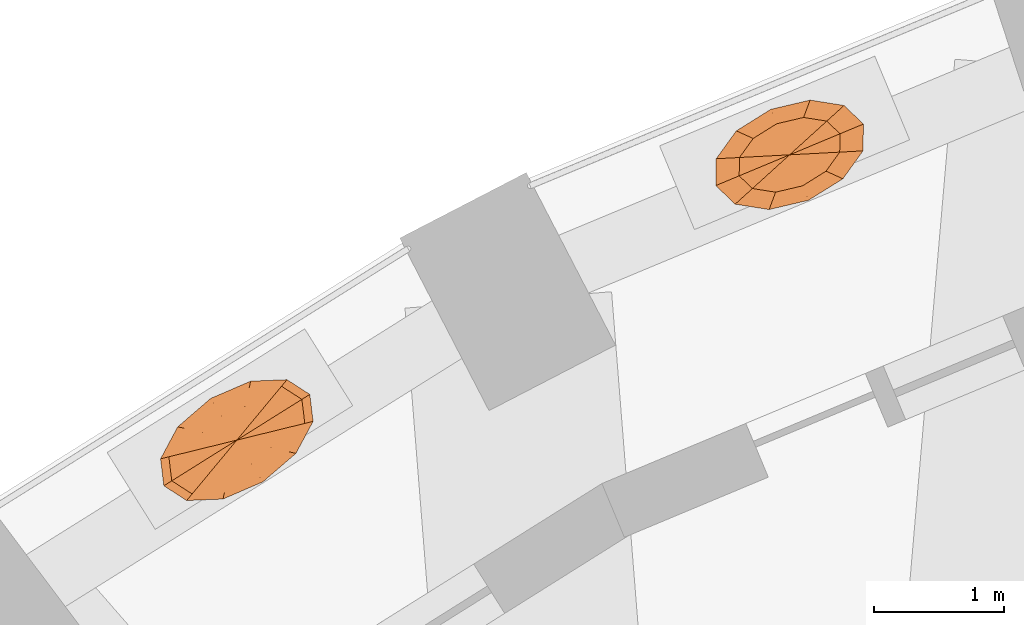
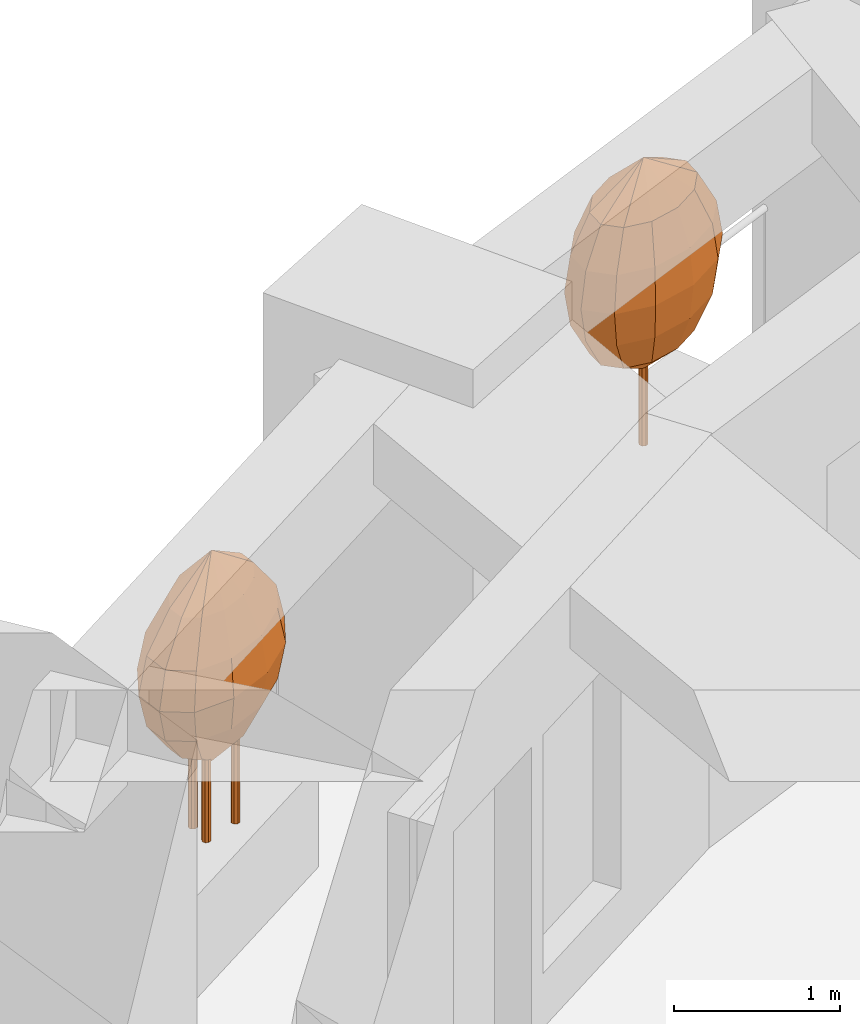
# One storey, part 13 of 13: 2 geographic elements.
"""IFC4 building model written with IfcOpenShell, lengths in metres."""

import ifcopenshell
import ifcopenshell.guid

model = None  # the IFC model being written
_history = None  # IfcOwnerHistory: only IFC2X3 demands one
_inside = {}  # id of a spatial element -> (the spatial element, [elements in it])
_under = {}  # id of a project, library or spatial element -> (it, [spatial elements below it])
_declared = {}  # id of a project -> (the project, [libraries it declares])
_typed = {}  # id of a type object -> (the type object, [elements of that type])
_made_of = {}  # id of a material, layer set ... -> (it, [elements and type objects made of it])


def new_model(schema):
    """Start an empty IFC model of exactly this schema.

    Asked for "IFC4X3", IfcOpenShell would pick the latest addendum, in which some entities
    have other attributes; the version numbers below select the first issue.
    IFC2X3 requires an IfcOwnerHistory on every rooted entity: one is made here for all.
    """
    global model, _history
    if schema == "IFC4X3":
        model = ifcopenshell.file(schema_version=(4, 3, 0, 0))
    else:
        model = ifcopenshell.file(schema=schema)
    _inside.clear()
    _under.clear()
    _declared.clear()
    _typed.clear()
    _made_of.clear()
    _history = None
    if model.schema == "IFC2X3":
        org = make("IfcOrganization", Name="unknown")
        user = make(
            "IfcPersonAndOrganization",
            ThePerson=make("IfcPerson", FamilyName="unknown"),
            TheOrganization=org,
        )
        app = make(
            "IfcApplication",
            ApplicationDeveloper=org,
            Version="unknown",
            ApplicationFullName="unknown",
            ApplicationIdentifier="unknown",
        )
        _history = make(
            "IfcOwnerHistory",
            OwningUser=user,
            OwningApplication=app,
            ChangeAction="ADDED",
            CreationDate=0,
        )
    return model


def make(cls, **values):
    """One entity of the class cls with the attributes given. An attribute that is None is left unset."""
    return model.create_entity(
        cls, **{name: value for name, value in values.items() if value is not None}
    )


def rooted(cls, **values):
    """An entity with a GlobalId (a new one), such as an element, a storey or a relation."""
    return make(cls, GlobalId=ifcopenshell.guid.new(), OwnerHistory=_history, **values)


def si_unit(unit_type, name, prefix=None):
    """IfcSIUnit, for example si_unit("LENGTHUNIT", "METRE", prefix="MILLI")."""
    return make("IfcSIUnit", UnitType=unit_type, Prefix=prefix, Name=name)


def assignment(units):
    """IfcUnitAssignment: the units of a project."""
    return None if units is None else make("IfcUnitAssignment", Units=units)


def point(xyz):
    """IfcCartesianPoint."""
    return None if xyz is None else make("IfcCartesianPoint", Coordinates=xyz)


def direction(xyz):
    """IfcDirection."""
    return None if xyz is None else make("IfcDirection", DirectionRatios=xyz)


def frame(location, z_axis=None, x_axis=None):
    """IfcAxis2Placement3D, a coordinate frame: its origin and axes. An axis left out is left unset."""
    return make(
        "IfcAxis2Placement3D",
        Location=point(location),
        Axis=direction(z_axis),
        RefDirection=direction(x_axis),
    )


def origin():
    """The frame at (0, 0, 0) with its axes left unset."""
    return frame((0.0, 0.0, 0.0))


def place(relative_to, where):
    """IfcLocalPlacement: puts the frame where relative to a parent placement (None: the world)."""
    return make(
        "IfcLocalPlacement", PlacementRelTo=relative_to, RelativePlacement=where
    )


def context(
    kind, dimensions, precision=None, world=None, true_north=None, identifier=None
):
    """IfcGeometricRepresentationContext, for example the 3D "Model" context."""
    return make(
        "IfcGeometricRepresentationContext",
        ContextIdentifier=identifier,
        ContextType=kind,
        CoordinateSpaceDimension=dimensions,
        Precision=precision,
        WorldCoordinateSystem=world,
        TrueNorth=true_north,
    )


def subcontext(parent, identifier, kind, view, scale=None):
    """IfcGeometricRepresentationSubContext, for example "Body" below "Model"."""
    return make(
        "IfcGeometricRepresentationSubContext",
        ContextIdentifier=identifier,
        ContextType=kind,
        ParentContext=parent,
        TargetScale=scale,
        TargetView=view,
    )


def project(units=None, contexts=None):
    """IfcProject with its units and contexts."""
    return rooted(
        "IfcProject",
        Name="project",
        RepresentationContexts=contexts,
        UnitsInContext=assignment(units),
    )


def spatial(cls, under=None, at=None, **own):
    """A site, building, storey or space (cls), placed at a placement, below another one or the project."""
    s = rooted(cls, ObjectPlacement=at, **own)
    if under is not None:
        _under.setdefault(under.id(), (under, []))[1].append(s)
    return s


def faces_of(points, faces, orient=None, outer=None):
    """IfcFace entities. A face is a list of loops; a loop is a list of indices into points, from 0.

    orient and outer hold one flag for each loop. By default every Orientation is true, the
    first loop of a face is its IfcFaceOuterBound and the others are IfcFaceBound.
    """
    made = []
    for i, loops in enumerate(faces):
        bounds = []
        for j, loop in enumerate(loops):
            is_outer = j == 0 if outer is None else outer[i][j]
            bounds.append(
                make(
                    "IfcFaceOuterBound" if is_outer else "IfcFaceBound",
                    Bound=make("IfcPolyLoop", Polygon=[points[k] for k in loop]),
                    Orientation=True if orient is None else orient[i][j],
                )
            )
        made.append(make("IfcFace", Bounds=bounds))
    return made


def faceted_brep(points, faces, orient=None, outer=None, voids=None):
    """IfcFacetedBrep: a solid bounded by flat faces; with voids (closed shells), ...WithVoids."""
    shared = [point(p) for p in points]
    hull = make("IfcClosedShell", CfsFaces=faces_of(shared, faces, orient, outer))
    if voids is None:
        return make("IfcFacetedBrep", Outer=hull)
    return make(
        "IfcFacetedBrepWithVoids",
        Outer=hull,
        Voids=[
            make(cls, CfsFaces=faces_of(shared, fs, o, b)) for cls, fs, o, b in voids
        ],
    )


def shape(context_of_items, identifier, shape_type, items):
    """IfcShapeRepresentation: the items that make up one representation, for example the "Body"."""
    return make(
        "IfcShapeRepresentation",
        ContextOfItems=context_of_items,
        RepresentationIdentifier=identifier,
        RepresentationType=shape_type,
        Items=items,
    )


def material(Name=None, Category=None):
    """IfcMaterial."""
    return make("IfcMaterial", Name=Name, Category=Category)


def constituent(of_material, Name=None, Category=None, fraction=None):
    """IfcMaterialConstituent: one of the materials an element consists of."""
    return make(
        "IfcMaterialConstituent",
        Name=Name,
        Material=of_material,
        Fraction=fraction,
        Category=Category,
    )


def constituent_set(constituents=None, Name=None):
    """IfcMaterialConstituentSet."""
    return make(
        "IfcMaterialConstituentSet", Name=Name, MaterialConstituents=constituents
    )


def made_of(thing, what):
    """Note that an element or type object is made of a material, layer set ...; save() writes the relation."""
    if what is not None:
        _made_of.setdefault(what.id(), (what, []))[1].append(thing)
    return thing


def type_object(cls, material=None, **own):
    """A type object (cls), such as IfcWallType, which elements share."""
    return made_of(rooted(cls, **own), material)


def element(
    cls,
    number,
    at=None,
    inside=None,
    cuts=None,
    type_object=None,
    material=None,
    context=None,
    identifier="Body",
    shape_type=None,
    held_by="IfcProductDefinitionShape",
    body=None,
    shapes=None,
    **own,
):
    """One element of the class cls, such as IfcWall. Its Tag is "e" and its number.

    at: its placement. inside: the storey or other place that contains it. cuts: it is an
    opening in that element (IfcRelVoidsElement). A single representation is given by context,
    identifier, shape_type and body (its items); several are given by shapes. held_by: the class
    of the entity that holds the representations. save() writes the other relations.
    """
    e = rooted(cls, Tag="e%d" % number, ObjectPlacement=at, **own)
    if body is not None:
        shapes = [shape(context, identifier, shape_type, body)]
    if shapes is not None:
        e.Representation = make(held_by, Representations=shapes)
    if inside is not None:
        _inside.setdefault(inside.id(), (inside, []))[1].append(e)
    if cuts is not None:
        rooted(
            "IfcRelVoidsElement", RelatingBuildingElement=cuts, RelatedOpeningElement=e
        )
    if type_object is not None:
        _typed.setdefault(type_object.id(), (type_object, []))[1].append(e)
    return made_of(e, material)


def aggregate(whole, parts):
    """IfcRelAggregates: a whole, such as a stair, and the parts it consists of."""
    return rooted("IfcRelAggregates", RelatingObject=whole, RelatedObjects=parts)


def save(model, path):
    """Write the relations noted so far, then the file.

    IfcRelAggregates (storeys below a building ...), IfcRelContainedInSpatialStructure (elements
    in a storey), IfcRelDefinesByType, IfcRelAssociatesMaterial and IfcRelDeclares: one each for
    every whole, place, type object, material and project.
    """
    for whole, parts in _under.values():
        aggregate(whole, parts)
    for where, things in _inside.values():
        rooted(
            "IfcRelContainedInSpatialStructure",
            RelatedElements=things,
            RelatingStructure=where,
        )
    for kind, things in _typed.values():
        rooted("IfcRelDefinesByType", RelatedObjects=things, RelatingType=kind)
    for what, things in _made_of.values():
        rooted("IfcRelAssociatesMaterial", RelatedObjects=things, RelatingMaterial=what)
    for by, libraries in _declared.values():
        rooted("IfcRelDeclares", RelatingContext=by, RelatedDefinitions=libraries)
    model.write(path)


model = new_model("IFC4")

# Units and contexts
model_context = context("Model", 3, precision=1e-05, world=origin(), true_north=direction((0.0, 1.0)))
body_context = subcontext(model_context, "Body", "Model", "MODEL_VIEW")
ifc_project = project(units=[si_unit("LENGTHUNIT", "METRE"), si_unit("AREAUNIT", "SQUARE_METRE"), si_unit("VOLUMEUNIT", "CUBIC_METRE"), si_unit("PLANEANGLEUNIT", "RADIAN"), si_unit("MASSUNIT", "GRAM", prefix="KILO")], contexts=[model_context])

# Site, building, storey
site_placement = place(None, origin())
site = spatial("IfcSite", under=ifc_project, at=site_placement, CompositionType="ELEMENT")
building_placement = place(site_placement, origin())
building = spatial("IfcBuilding", under=site, at=building_placement, Name="Taillehof Tower", CompositionType="ELEMENT")
storey_placement = place(building_placement, frame((0.0, 0.0, 41.5)))
storey = spatial("IfcBuildingStorey", under=building, at=storey_placement, Name="L10", CompositionType="ELEMENT", Elevation=41.5)

# Geographic elements
ifc_material_1 = material(Name="Tree bark", Category="timber")
ifc_constituent_1 = constituent(ifc_material_1, Name="Trunk", Category="timber")
ifc_material_2 = material(Name="Tree foliage")
ifc_constituent_2 = constituent(ifc_material_2, Name="Crown")
ifc_constituent_set_1 = constituent_set(constituents=[ifc_constituent_1, ifc_constituent_2], Name="Tree TR1 Columnar hornbeam")
geographic_element_type_1 = type_object("IfcGeographicElementType", Name="Tree TR1 Columnar hornbeam", PredefinedType="USERDEFINED", material=ifc_constituent_set_1)
geographic_element_1_placement = place(storey_placement, frame((-11.947509765625, 22.923583984375, 0.75)))
element("IfcGeographicElement", 1, at=geographic_element_1_placement, inside=storey, type_object=geographic_element_type_1, Name="Tree TR1 Columnar hornbeam", ObjectType="TREE", PredefinedType="USERDEFINED", context=body_context, shape_type="Brep", body=[
    faceted_brep([(0.030029296875, 0.0, 0.0), (0.021240234375, 0.021240234375, 0.0), (0.021240234375, 0.021240234375, 1.092529296875), (0.030029296875, 0.0, 1.092529296875), (0.0, 0.030029296875, 0.0), (0.0, 0.030029296875, 1.092529296875), (-0.021240234375, 0.021240234375, 0.0), (-0.021240234375, 0.021240234375, 1.092529296875), (-0.030029296875, 0.0, 0.0), (-0.030029296875, 0.0, 1.092529296875), (-0.021240234375, -0.021240234375, 0.0), (-0.021240234375, -0.021240234375, 1.092529296875), (0.0, -0.030029296875, 0.0), (0.0, -0.030029296875, 1.092529296875), (0.021240234375, -0.021240234375, 0.0), (0.021240234375, -0.021240234375, 1.092529296875)], [[[0, 1, 2, 3]], [[1, 4, 5, 2]], [[4, 6, 7, 5]], [[6, 8, 9, 7]], [[8, 10, 11, 9]], [[10, 12, 13, 11]], [[12, 14, 15, 13]], [[14, 0, 3, 15]], [[14, 12, 10, 8, 6, 4, 1, 0]], [[3, 2, 5, 7, 9, 11, 13, 15]]]),
    faceted_brep([(0.0, 0.0, 0.550048828125), (-0.287109375, -0.26025390625, 0.808349609375), (-0.389404296875, -0.162353515625, 0.808349609375), (-0.108154296875, -0.28857421875, 0.808349609375), (0.099853515625, -0.239501953125, 0.808349609375), (0.28125, -0.126220703125, 0.808349609375), (0.386962890625, 0.020751953125, 0.808349609375), (0.389404296875, 0.162353515625, 0.808349609375), (0.287109375, 0.26025390625, 0.808349609375), (0.108154296875, 0.28857421875, 0.808349609375), (-0.099853515625, 0.239501953125, 0.808349609375), (-0.28125, 0.126220703125, 0.808349609375), (-0.386962890625, -0.020751953125, 0.808349609375), (-0.388427734375, -0.35205078125, 1.066650390625), (-0.526611328125, -0.219482421875, 1.066650390625), (-0.146240234375, -0.390380859375, 1.066650390625), (0.135009765625, -0.323974609375, 1.066650390625), (0.38037109375, -0.1708984375, 1.066650390625), (0.523681640625, 0.028076171875, 1.066650390625), (0.526611328125, 0.219482421875, 1.066650390625), (0.388427734375, 0.35205078125, 1.066650390625), (0.146240234375, 0.390380859375, 1.066650390625), (-0.135009765625, 0.323974609375, 1.066650390625), (-0.38037109375, 0.1708984375, 1.066650390625), (-0.523681640625, -0.028076171875, 1.066650390625), (-0.42041015625, -0.381103515625, 1.324951171875), (-0.570068359375, -0.237548828125, 1.324951171875), (-0.158447265625, -0.422607421875, 1.324951171875), (0.146240234375, -0.350830078125, 1.324951171875), (0.41162109375, -0.18505859375, 1.324951171875), (0.566650390625, 0.0302734375, 1.324951171875), (0.570068359375, 0.237548828125, 1.324951171875), (0.42041015625, 0.381103515625, 1.324951171875), (0.158447265625, 0.422607421875, 1.324951171875), (-0.146240234375, 0.350830078125, 1.324951171875), (-0.41162109375, 0.18505859375, 1.324951171875), (-0.566650390625, -0.0302734375, 1.324951171875), (-0.388427734375, -0.35205078125, 1.583251953125), (-0.526611328125, -0.219482421875, 1.583251953125), (-0.146240234375, -0.390380859375, 1.583251953125), (0.135009765625, -0.323974609375, 1.583251953125), (0.38037109375, -0.1708984375, 1.583251953125), (0.523681640625, 0.028076171875, 1.583251953125), (0.526611328125, 0.219482421875, 1.583251953125), (0.388427734375, 0.35205078125, 1.583251953125), (0.146240234375, 0.390380859375, 1.583251953125), (-0.135009765625, 0.323974609375, 1.583251953125), (-0.38037109375, 0.1708984375, 1.583251953125), (-0.523681640625, -0.028076171875, 1.583251953125), (-0.287109375, -0.26025390625, 1.841552734375), (-0.389404296875, -0.162353515625, 1.841552734375), (-0.108154296875, -0.28857421875, 1.841552734375), (0.099853515625, -0.239501953125, 1.841552734375), (0.28125, -0.126220703125, 1.841552734375), (0.386962890625, 0.020751953125, 1.841552734375), (0.389404296875, 0.162353515625, 1.841552734375), (0.287109375, 0.26025390625, 1.841552734375), (0.108154296875, 0.28857421875, 1.841552734375), (-0.099853515625, 0.239501953125, 1.841552734375), (-0.28125, 0.126220703125, 1.841552734375), (-0.386962890625, -0.020751953125, 1.841552734375), (0.0, 0.0, 2.10009765625)], [[[0, 1, 2]], [[0, 3, 1]], [[0, 4, 3]], [[0, 5, 4]], [[0, 6, 5]], [[0, 7, 6]], [[0, 8, 7]], [[0, 9, 8]], [[0, 10, 9]], [[0, 11, 10]], [[0, 12, 11]], [[0, 2, 12]], [[2, 1, 13, 14]], [[1, 3, 15, 13]], [[3, 4, 16, 15]], [[4, 5, 17, 16]], [[5, 6, 18, 17]], [[6, 7, 19, 18]], [[7, 8, 20, 19]], [[8, 9, 21, 20]], [[9, 10, 22, 21]], [[10, 11, 23, 22]], [[11, 12, 24, 23]], [[12, 2, 14, 24]], [[14, 13, 25, 26]], [[13, 15, 27, 25]], [[15, 16, 28, 27]], [[16, 17, 29, 28]], [[17, 18, 30, 29]], [[18, 19, 31, 30]], [[19, 20, 32, 31]], [[20, 21, 33, 32]], [[21, 22, 34, 33]], [[22, 23, 35, 34]], [[23, 24, 36, 35]], [[24, 14, 26, 36]], [[26, 25, 37, 38]], [[25, 27, 39, 37]], [[27, 28, 40, 39]], [[28, 29, 41, 40]], [[29, 30, 42, 41]], [[30, 31, 43, 42]], [[31, 32, 44, 43]], [[32, 33, 45, 44]], [[33, 34, 46, 45]], [[34, 35, 47, 46]], [[35, 36, 48, 47]], [[36, 26, 38, 48]], [[38, 37, 49, 50]], [[37, 39, 51, 49]], [[39, 40, 52, 51]], [[40, 41, 53, 52]], [[41, 42, 54, 53]], [[42, 43, 55, 54]], [[43, 44, 56, 55]], [[44, 45, 57, 56]], [[45, 46, 58, 57]], [[46, 47, 59, 58]], [[47, 48, 60, 59]], [[48, 38, 50, 60]], [[50, 49, 61]], [[49, 51, 61]], [[51, 52, 61]], [[52, 53, 61]], [[53, 54, 61]], [[54, 55, 61]], [[55, 56, 61]], [[56, 57, 61]], [[57, 58, 61]], [[58, 59, 61]], [[59, 60, 61]], [[60, 50, 61]]]),
])
ifc_material_3 = material(Name="Tree bark", Category="timber")
ifc_constituent_3 = constituent(ifc_material_3, Name="Trunk", Category="timber")
ifc_material_4 = material(Name="Tree foliage")
ifc_constituent_4 = constituent(ifc_material_4, Name="Crown")
ifc_constituent_set_2 = constituent_set(constituents=[ifc_constituent_3, ifc_constituent_4], Name="Tree TR3 Multi-stem serviceberry")
geographic_element_type_2 = type_object("IfcGeographicElementType", Name="Tree TR3 Multi-stem serviceberry", PredefinedType="USERDEFINED", material=ifc_constituent_set_2)
geographic_element_2_placement = place(storey_placement, frame((-16.2158203125, 20.720703125, 0.75)))
element("IfcGeographicElement", 2, at=geographic_element_2_placement, inside=storey, type_object=geographic_element_type_2, Name="Tree TR3 Multi-stem serviceberry", ObjectType="TREE", PredefinedType="USERDEFINED", context=body_context, shape_type="Brep", body=[
    faceted_brep([(0.195068359375, 0.0, 0.0), (0.186767578125, 0.0205078125, 0.0), (0.186767578125, 0.0205078125, 1.04248046875), (0.195068359375, 0.0, 1.04248046875), (0.166259765625, 0.02880859375, 0.0), (0.166259765625, 0.02880859375, 1.04248046875), (0.145751953125, 0.0205078125, 0.0), (0.145751953125, 0.0205078125, 1.04248046875), (0.137451171875, 0.0, 0.0), (0.137451171875, 0.0, 1.04248046875), (0.145751953125, -0.0205078125, 0.0), (0.145751953125, -0.0205078125, 1.04248046875), (0.166259765625, -0.02880859375, 0.0), (0.166259765625, -0.02880859375, 1.04248046875), (0.186767578125, -0.0205078125, 0.0), (0.186767578125, -0.0205078125, 1.04248046875)], [[[0, 1, 2, 3]], [[1, 4, 5, 2]], [[4, 6, 7, 5]], [[6, 8, 9, 7]], [[8, 10, 11, 9]], [[10, 12, 13, 11]], [[12, 14, 15, 13]], [[14, 0, 3, 15]], [[14, 12, 10, 8, 6, 4, 1, 0]], [[3, 2, 5, 7, 9, 11, 13, 15]]]),
    faceted_brep([(-0.05419921875, 0.082275390625, 0.0), (-0.062744140625, 0.102783203125, 0.0), (-0.062744140625, 0.102783203125, 1.04248046875), (-0.05419921875, 0.082275390625, 1.04248046875), (-0.0830078125, 0.111083984375, 0.0), (-0.0830078125, 0.111083984375, 1.04248046875), (-0.103515625, 0.102783203125, 0.0), (-0.103515625, 0.102783203125, 1.04248046875), (-0.112060546875, 0.082275390625, 0.0), (-0.112060546875, 0.082275390625, 1.04248046875), (-0.103515625, 0.061767578125, 0.0), (-0.103515625, 0.061767578125, 1.04248046875), (-0.0830078125, 0.053466796875, 0.0), (-0.0830078125, 0.053466796875, 1.04248046875), (-0.062744140625, 0.061767578125, 0.0), (-0.062744140625, 0.061767578125, 1.04248046875)], [[[0, 1, 2, 3]], [[1, 4, 5, 2]], [[4, 6, 7, 5]], [[6, 8, 9, 7]], [[8, 10, 11, 9]], [[10, 12, 13, 11]], [[12, 14, 15, 13]], [[14, 0, 3, 15]], [[14, 12, 10, 8, 6, 4, 1, 0]], [[3, 2, 5, 7, 9, 11, 13, 15]]]),
    faceted_brep([(-0.05419921875, -0.082275390625, 0.0), (-0.062744140625, -0.061767578125, 0.0), (-0.062744140625, -0.061767578125, 1.04248046875), (-0.05419921875, -0.082275390625, 1.04248046875), (-0.0830078125, -0.053466796875, 0.0), (-0.0830078125, -0.053466796875, 1.04248046875), (-0.103515625, -0.061767578125, 0.0), (-0.103515625, -0.061767578125, 1.04248046875), (-0.112060546875, -0.082275390625, 0.0), (-0.112060546875, -0.082275390625, 1.04248046875), (-0.103515625, -0.102783203125, 0.0), (-0.103515625, -0.102783203125, 1.04248046875), (-0.0830078125, -0.111083984375, 0.0), (-0.0830078125, -0.111083984375, 1.04248046875), (-0.062744140625, -0.102783203125, 0.0), (-0.062744140625, -0.102783203125, 1.04248046875)], [[[0, 1, 2, 3]], [[1, 4, 5, 2]], [[4, 6, 7, 5]], [[6, 8, 9, 7]], [[8, 10, 11, 9]], [[10, 12, 13, 11]], [[12, 14, 15, 13]], [[14, 0, 3, 15]], [[14, 12, 10, 8, 6, 4, 1, 0]], [[3, 2, 5, 7, 9, 11, 13, 15]]]),
    faceted_brep([(0.0, 0.0, 0.5), (-0.222412109375, -0.26806640625, 0.75830078125), (-0.32373046875, -0.20263671875, 0.75830078125), (-0.0615234375, -0.261474609375, 0.75830078125), (0.11572265625, -0.18505859375, 0.75830078125), (0.26220703125, -0.058837890625, 0.75830078125), (0.33837890625, 0.0830078125, 0.75830078125), (0.32373046875, 0.20263671875, 0.75830078125), (0.222412109375, 0.26806640625, 0.75830078125), (0.0615234375, 0.261474609375, 0.75830078125), (-0.11572265625, 0.18505859375, 0.75830078125), (-0.26220703125, 0.058837890625, 0.75830078125), (-0.33837890625, -0.0830078125, 0.75830078125), (-0.34521484375, -0.415771484375, 1.0166015625), (-0.50244140625, -0.314453125, 1.0166015625), (-0.095703125, -0.40576171875, 1.0166015625), (0.1796875, -0.287109375, 1.0166015625), (0.40673828125, -0.09130859375, 1.0166015625), (0.52490234375, 0.12890625, 1.0166015625), (0.50244140625, 0.314453125, 1.0166015625), (0.34521484375, 0.415771484375, 1.0166015625), (0.095703125, 0.40576171875, 1.0166015625), (-0.1796875, 0.287109375, 1.0166015625), (-0.40673828125, 0.09130859375, 1.0166015625), (-0.52490234375, -0.12890625, 1.0166015625), (-0.387451171875, -0.466552734375, 1.27490234375), (-0.563720703125, -0.352783203125, 1.27490234375), (-0.107177734375, -0.455322265625, 1.27490234375), (0.20166015625, -0.322021484375, 1.27490234375), (0.45654296875, -0.1025390625, 1.27490234375), (0.5888671875, 0.14453125, 1.27490234375), (0.563720703125, 0.352783203125, 1.27490234375), (0.387451171875, 0.466552734375, 1.27490234375), (0.107177734375, 0.455322265625, 1.27490234375), (-0.20166015625, 0.322021484375, 1.27490234375), (-0.45654296875, 0.1025390625, 1.27490234375), (-0.5888671875, -0.14453125, 1.27490234375), (-0.34521484375, -0.415771484375, 1.533447265625), (-0.50244140625, -0.314453125, 1.533447265625), (-0.095703125, -0.40576171875, 1.533447265625), (0.1796875, -0.287109375, 1.533447265625), (0.40673828125, -0.09130859375, 1.533447265625), (0.52490234375, 0.12890625, 1.533447265625), (0.50244140625, 0.314453125, 1.533447265625), (0.34521484375, 0.415771484375, 1.533447265625), (0.095703125, 0.40576171875, 1.533447265625), (-0.1796875, 0.287109375, 1.533447265625), (-0.40673828125, 0.09130859375, 1.533447265625), (-0.52490234375, -0.12890625, 1.533447265625), (-0.222412109375, -0.26806640625, 1.791748046875), (-0.32373046875, -0.20263671875, 1.791748046875), (-0.0615234375, -0.261474609375, 1.791748046875), (0.11572265625, -0.18505859375, 1.791748046875), (0.26220703125, -0.058837890625, 1.791748046875), (0.33837890625, 0.0830078125, 1.791748046875), (0.32373046875, 0.20263671875, 1.791748046875), (0.222412109375, 0.26806640625, 1.791748046875), (0.0615234375, 0.261474609375, 1.791748046875), (-0.11572265625, 0.18505859375, 1.791748046875), (-0.26220703125, 0.058837890625, 1.791748046875), (-0.33837890625, -0.0830078125, 1.791748046875), (0.0, 0.0, 2.050048828125)], [[[0, 1, 2]], [[0, 3, 1]], [[0, 4, 3]], [[0, 5, 4]], [[0, 6, 5]], [[0, 7, 6]], [[0, 8, 7]], [[0, 9, 8]], [[0, 10, 9]], [[0, 11, 10]], [[0, 12, 11]], [[0, 2, 12]], [[2, 1, 13, 14]], [[1, 3, 15, 13]], [[3, 4, 16, 15]], [[4, 5, 17, 16]], [[5, 6, 18, 17]], [[6, 7, 19, 18]], [[7, 8, 20, 19]], [[8, 9, 21, 20]], [[9, 10, 22, 21]], [[10, 11, 23, 22]], [[11, 12, 24, 23]], [[12, 2, 14, 24]], [[14, 13, 25, 26]], [[13, 15, 27, 25]], [[15, 16, 28, 27]], [[16, 17, 29, 28]], [[17, 18, 30, 29]], [[18, 19, 31, 30]], [[19, 20, 32, 31]], [[20, 21, 33, 32]], [[21, 22, 34, 33]], [[22, 23, 35, 34]], [[23, 24, 36, 35]], [[24, 14, 26, 36]], [[26, 25, 37, 38]], [[25, 27, 39, 37]], [[27, 28, 40, 39]], [[28, 29, 41, 40]], [[29, 30, 42, 41]], [[30, 31, 43, 42]], [[31, 32, 44, 43]], [[32, 33, 45, 44]], [[33, 34, 46, 45]], [[34, 35, 47, 46]], [[35, 36, 48, 47]], [[36, 26, 38, 48]], [[38, 37, 49, 50]], [[37, 39, 51, 49]], [[39, 40, 52, 51]], [[40, 41, 53, 52]], [[41, 42, 54, 53]], [[42, 43, 55, 54]], [[43, 44, 56, 55]], [[44, 45, 57, 56]], [[45, 46, 58, 57]], [[46, 47, 59, 58]], [[47, 48, 60, 59]], [[48, 38, 50, 60]], [[50, 49, 61]], [[49, 51, 61]], [[51, 52, 61]], [[52, 53, 61]], [[53, 54, 61]], [[54, 55, 61]], [[55, 56, 61]], [[56, 57, 61]], [[57, 58, 61]], [[58, 59, 61]], [[59, 60, 61]], [[60, 50, 61]]]),
])

save(model, "model.ifc")
